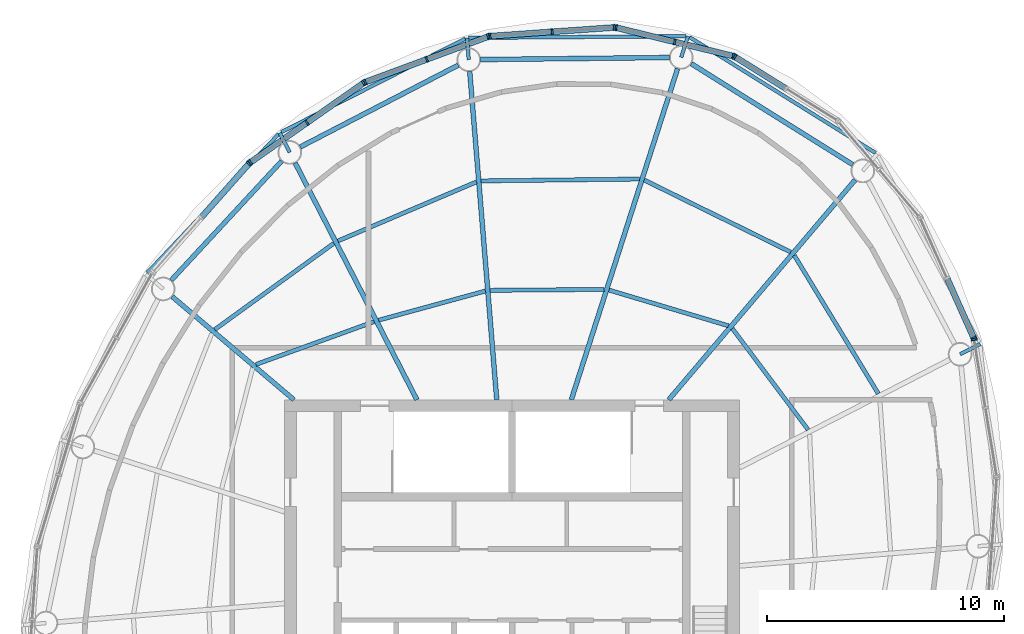
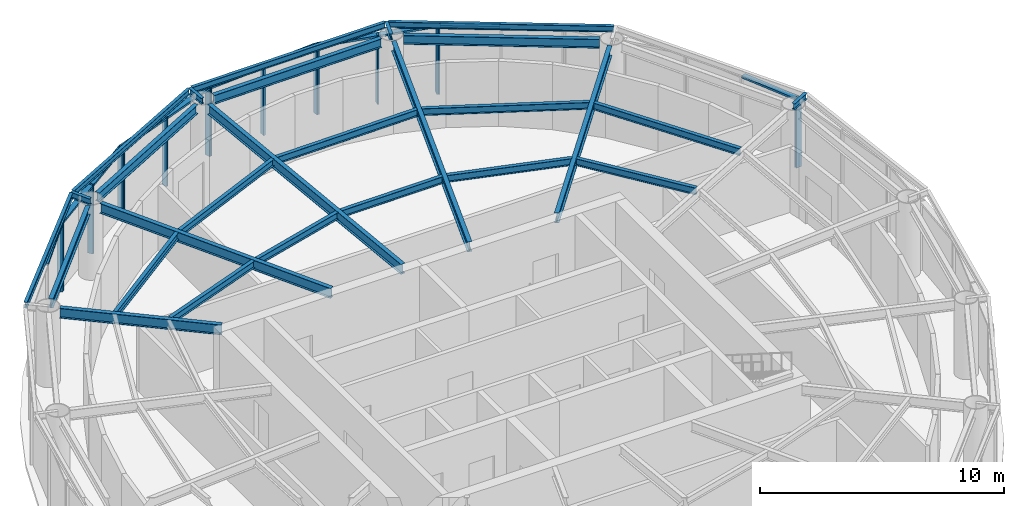
# One storey, part 5 of 11: 27 beams, 27 members, 8 elements without a shape of their own.
"""IFC4 building model written with IfcOpenShell, lengths in metres."""

from ifc_helpers import new_model, si_unit, direction, frame, origin, origin_2d, place, context, subcontext, project, spatial, rectangle, i_section, extrude, material, material_profile, profile_set, type_object, element, aggregate, save


model = new_model("IFC4")

# Units and contexts
model_context = context("Model", 3, precision=1e-05, world=origin(), true_north=direction((0.0, 1.0)))
body_context = subcontext(model_context, "Body", "Model", "MODEL_VIEW")
ifc_project = project(units=[si_unit("LENGTHUNIT", "METRE"), si_unit("AREAUNIT", "SQUARE_METRE"), si_unit("VOLUMEUNIT", "CUBIC_METRE"), si_unit("PLANEANGLEUNIT", "RADIAN"), si_unit("MASSUNIT", "GRAM", prefix="KILO")], contexts=[model_context])

# Site, building, storey
site_placement = place(None, origin())
site = spatial("IfcSite", under=ifc_project, at=site_placement, CompositionType="ELEMENT")
building_placement = place(site_placement, origin())
building = spatial("IfcBuilding", under=site, at=building_placement, Name="Vermilion Reach Broadcast Tower", CompositionType="ELEMENT")
storey_placement = place(building_placement, frame((0.0, 0.0, 325.5)))
storey = spatial("IfcBuildingStorey", under=building, at=storey_placement, Name="L81 CROWN", CompositionType="ELEMENT", Elevation=325.5)

# Curtain wall, members
ifc_material_1 = material(Name="Low-e laminated clear glass in aluminium frame", Category="aluminium")
curtain_wall_type = type_object("IfcCurtainWallType", Name="Crown glazing curtain wall", PredefinedType="NOTDEFINED", material=ifc_material_1)
placement = place(storey_placement, origin())
curtain_wall_1 = element("IfcCurtainWall", 1, at=placement, inside=storey, type_object=curtain_wall_type, Name="Crown glazing L81 CROWN 01", PredefinedType="NOTDEFINED")
ifc_material_2 = material(Name="Anodised aluminium", Category="aluminium")
ifc_material_profile_1 = material_profile(ifc_material_2, rectangle(XDim=0.25, YDim=0.080078125, at=origin_2d()), Name="Crown glazing mullion 80 x 250")
ifc_profile_set_1 = profile_set([ifc_material_profile_1], Name="Anodised aluminium")
member_type_1 = type_object("IfcMemberType", Name="Crown glazing mullion 80 x 250", PredefinedType="MULLION", material=ifc_profile_set_1)
member_1_placement = place(storey_placement, frame((3.331298828125, 22.300048828125, 0.0), z_axis=(0.0, 0.0, 1.0), x_axis=(-0.236354420386, -0.971666912045, 0.0)))
member_1 = element("IfcMember", 2, at=member_1_placement, type_object=member_type_1, Name="Crown glazing mullion L81 CROWN 01.1", PredefinedType="MULLION", context=body_context, shape_type="SweptSolid", body=[
    extrude(rectangle(XDim=0.25, YDim=0.080078125, at=origin_2d()), origin(), (0.0, 0.0, 1.0), 3.449951171875),
])
member_2_placement = place(storey_placement, frame((0.861328125, 22.90087890625, 0.0), z_axis=(0.0, 0.0, 1.0), x_axis=(-0.236354420386, -0.971666912045, 0.0)))
member_2 = element("IfcMember", 3, at=member_2_placement, type_object=member_type_1, Name="Crown glazing mullion L81 CROWN 01.2", PredefinedType="MULLION", context=body_context, shape_type="SweptSolid", body=[
    extrude(rectangle(XDim=0.25, YDim=0.080078125, at=origin_2d()), origin(), (0.0, 0.0, 1.0), 3.449951171875),
])
member_3_placement = place(storey_placement, frame((-1.60888671875, 23.501708984375, 0.0), z_axis=(0.0, 0.0, 1.0), x_axis=(-0.236354420386, -0.971666912045, 0.0)))
member_3 = element("IfcMember", 4, at=member_3_placement, type_object=member_type_1, Name="Crown glazing mullion L81 CROWN 01.3", PredefinedType="MULLION", context=body_context, shape_type="SweptSolid", body=[
    extrude(rectangle(XDim=0.25, YDim=0.080078125, at=origin_2d()), origin(), (0.0, 0.0, 1.0), 3.449951171875),
])

curtain_wall_2 = element("IfcCurtainWall", 5, at=placement, inside=storey, type_object=curtain_wall_type, Name="Crown glazing L81 CROWN 02", PredefinedType="NOTDEFINED")
member_4_placement = place(storey_placement, frame((-1.6875, 23.50830078125, 0.0), z_axis=(0.0, 0.0, 1.0), x_axis=(0.070082236977, -0.997541217224, 0.0)))
member_4 = element("IfcMember", 6, at=member_4_placement, type_object=member_type_1, Name="Crown glazing mullion L81 CROWN 02.1", PredefinedType="MULLION", context=body_context, shape_type="SweptSolid", body=[
    extrude(rectangle(XDim=0.25, YDim=0.080078125, at=origin_2d()), origin(), (0.0, 0.0, 1.0), 3.449951171875),
])
member_5_placement = place(storey_placement, frame((-4.30712890625, 23.324462890625, 0.0), z_axis=(0.0, 0.0, 1.0), x_axis=(0.070082236977, -0.997541217224, 0.0)))
member_5 = element("IfcMember", 7, at=member_5_placement, type_object=member_type_1, Name="Crown glazing mullion L81 CROWN 02.2", PredefinedType="MULLION", context=body_context, shape_type="SweptSolid", body=[
    extrude(rectangle(XDim=0.25, YDim=0.080078125, at=origin_2d()), origin(), (0.0, 0.0, 1.0), 3.449951171875),
])
member_6_placement = place(storey_placement, frame((-6.9267578125, 23.140380859375, 0.0), z_axis=(0.0, 0.0, 1.0), x_axis=(0.070082236977, -0.997541217224, 0.0)))
member_6 = element("IfcMember", 8, at=member_6_placement, type_object=member_type_1, Name="Crown glazing mullion L81 CROWN 02.3", PredefinedType="MULLION", context=body_context, shape_type="SweptSolid", body=[
    extrude(rectangle(XDim=0.25, YDim=0.080078125, at=origin_2d()), origin(), (0.0, 0.0, 1.0), 3.449951171875),
])

curtain_wall_3 = element("IfcCurtainWall", 9, at=placement, inside=storey, type_object=curtain_wall_type, Name="Crown glazing L81 CROWN 03", PredefinedType="NOTDEFINED")
member_7_placement = place(storey_placement, frame((-7.004150390625, 23.12353515625, 0.0), z_axis=(0.0, 0.0, 1.0), x_axis=(0.347291008771, -0.93775740745, 0.0)))
member_7 = element("IfcMember", 10, at=member_7_placement, type_object=member_type_1, Name="Crown glazing mullion L81 CROWN 03.1", PredefinedType="MULLION", context=body_context, shape_type="SweptSolid", body=[
    extrude(rectangle(XDim=0.25, YDim=0.080078125, at=origin_2d()), origin(), (0.0, 0.0, 1.0), 3.449951171875),
])
member_8_placement = place(storey_placement, frame((-9.597412109375, 22.163330078125, 0.0), z_axis=(0.0, 0.0, 1.0), x_axis=(0.347291008771, -0.93775740745, 0.0)))
member_8 = element("IfcMember", 11, at=member_8_placement, type_object=member_type_1, Name="Crown glazing mullion L81 CROWN 03.2", PredefinedType="MULLION", context=body_context, shape_type="SweptSolid", body=[
    extrude(rectangle(XDim=0.25, YDim=0.080078125, at=origin_2d()), origin(), (0.0, 0.0, 1.0), 3.449951171875),
])
member_9_placement = place(storey_placement, frame((-12.190673828125, 21.202880859375, 0.0), z_axis=(0.0, 0.0, 1.0), x_axis=(0.347291008771, -0.93775740745, 0.0)))
member_9 = element("IfcMember", 12, at=member_9_placement, type_object=member_type_1, Name="Crown glazing mullion L81 CROWN 03.3", PredefinedType="MULLION", context=body_context, shape_type="SweptSolid", body=[
    extrude(rectangle(XDim=0.25, YDim=0.080078125, at=origin_2d()), origin(), (0.0, 0.0, 1.0), 3.449951171875),
])

curtain_wall_4 = element("IfcCurtainWall", 13, at=placement, inside=storey, type_object=curtain_wall_type, Name="Crown glazing L81 CROWN 04", PredefinedType="NOTDEFINED")
member_10_placement = place(storey_placement, frame((-12.2607421875, 21.166015625, 0.0), z_axis=(0.0, 0.0, 1.0), x_axis=(0.574163969023, -0.818740335317, 0.0)))
member_10 = element("IfcMember", 14, at=member_10_placement, type_object=member_type_1, Name="Crown glazing mullion L81 CROWN 04.1", PredefinedType="MULLION", context=body_context, shape_type="SweptSolid", body=[
    extrude(rectangle(XDim=0.25, YDim=0.080078125, at=origin_2d()), origin(), (0.0, 0.0, 1.0), 3.449951171875),
])
member_11_placement = place(storey_placement, frame((-14.64990234375, 19.49072265625, 0.0), z_axis=(0.0, 0.0, 1.0), x_axis=(0.574163969023, -0.818740335317, 0.0)))
member_11 = element("IfcMember", 15, at=member_11_placement, type_object=member_type_1, Name="Crown glazing mullion L81 CROWN 04.2", PredefinedType="MULLION", context=body_context, shape_type="SweptSolid", body=[
    extrude(rectangle(XDim=0.25, YDim=0.080078125, at=origin_2d()), origin(), (0.0, 0.0, 1.0), 3.449951171875),
])
member_12_placement = place(storey_placement, frame((-17.038818359375, 17.8154296875, 0.0), z_axis=(0.0, 0.0, 1.0), x_axis=(0.574163969023, -0.818740335317, 0.0)))
member_12 = element("IfcMember", 16, at=member_12_placement, type_object=member_type_1, Name="Crown glazing mullion L81 CROWN 04.3", PredefinedType="MULLION", context=body_context, shape_type="SweptSolid", body=[
    extrude(rectangle(XDim=0.25, YDim=0.080078125, at=origin_2d()), origin(), (0.0, 0.0, 1.0), 3.449951171875),
])

# Curtain wall, member
curtain_wall_5 = element("IfcCurtainWall", 17, at=placement, inside=storey, type_object=curtain_wall_type, Name="Crown glazing L81 CROWN 05", PredefinedType="NOTDEFINED")
member_13_placement = place(storey_placement, frame((-17.09814453125, 17.762451171875, 0.0), z_axis=(0.0, 0.0, 1.0), x_axis=(0.748407682668, -0.663238976934, 0.0)))
member_13 = element("IfcMember", 18, at=member_13_placement, type_object=member_type_1, Name="Crown glazing mullion L81 CROWN 05.1", PredefinedType="MULLION", context=body_context, shape_type="SweptSolid", body=[
    extrude(rectangle(XDim=0.25, YDim=0.080078125, at=origin_2d()), origin(), (0.0, 0.0, 1.0), 3.449951171875),
])

curtain_wall_6 = element("IfcCurtainWall", 19, at=placement, inside=storey, type_object=curtain_wall_type, Name="Crown glazing L81 CROWN 21", PredefinedType="NOTDEFINED")
member_14_placement = place(storey_placement, frame((13.5029296875, 10.3359375, 0.0), z_axis=(0.0, 0.0, 1.0), x_axis=(-0.986689101121, -0.162618011697, 0.0)))
member_14 = element("IfcMember", 20, at=member_14_placement, type_object=member_type_1, Name="Crown glazing mullion L81 CROWN 21.3", PredefinedType="MULLION", context=body_context, shape_type="SweptSolid", body=[
    extrude(rectangle(XDim=0.25, YDim=0.080078125, at=origin_2d()), origin(), (0.0, 0.0, 1.0), 3.449951171875),
])
aggregate(curtain_wall_6, [member_14])

curtain_wall_7 = element("IfcCurtainWall", 21, at=placement, inside=storey, type_object=curtain_wall_type, Name="Crown glazing L81 CROWN 22", PredefinedType="NOTDEFINED")
member_15_placement = place(storey_placement, frame((13.480224609375, 10.411865234375, 0.0), z_axis=(0.0, 0.0, 1.0), x_axis=(-0.912988806241, -0.407984607158, 0.0)))
member_15 = element("IfcMember", 22, at=member_15_placement, type_object=member_type_1, Name="Crown glazing mullion L81 CROWN 22.1", PredefinedType="MULLION", context=body_context, shape_type="SweptSolid", body=[
    extrude(rectangle(XDim=0.25, YDim=0.080078125, at=origin_2d()), origin(), (0.0, 0.0, 1.0), 3.449951171875),
])

curtain_wall_8 = element("IfcCurtainWall", 23, at=placement, inside=storey, type_object=curtain_wall_type, Name="Crown glazing L81 CROWN 24", PredefinedType="NOTDEFINED")
member_16_placement = place(storey_placement, frame((3.404052734375, 22.26953125, 0.0), z_axis=(0.0, 0.0, 1.0), x_axis=(-0.52886102859, -0.848708437827, 0.0)))
member_16 = element("IfcMember", 24, at=member_16_placement, type_object=member_type_1, Name="Crown glazing mullion L81 CROWN 24.3", PredefinedType="MULLION", context=body_context, shape_type="SweptSolid", body=[
    extrude(rectangle(XDim=0.25, YDim=0.080078125, at=origin_2d()), origin(), (0.0, 0.0, 1.0), 3.449951171875),
])

# Member
ifc_material_3 = material(Name="Anodised aluminium", Category="aluminium")
ifc_material_profile_2 = material_profile(ifc_material_3, rectangle(XDim=0.25, YDim=0.10009765625, at=origin_2d()), Name="Crown glazing transom 250 x 100")
ifc_profile_set_2 = profile_set([ifc_material_profile_2], Name="Anodised aluminium")
member_type_2 = type_object("IfcMemberType", Name="Crown glazing transom 250 x 100", PredefinedType="USERDEFINED", material=ifc_profile_set_2)
member_17_placement = place(storey_placement, frame((3.29248046875, 22.3095703125, 3.39990234375), z_axis=(-0.971679911502, 0.236300972457, 0.0), x_axis=(-0.236300972457, -0.971679911502, 0.0)))
member_17 = element("IfcMember", 25, at=member_17_placement, type_object=member_type_2, Name="Crown glazing transom L81 CROWN 01.1.2", ObjectType="TRANSOM", PredefinedType="USERDEFINED", context=body_context, shape_type="SweptSolid", body=[
    extrude(rectangle(XDim=0.25, YDim=0.10009765625, at=origin_2d()), origin(), (0.0, 0.0, 1.0), 2.462158203125),
])

member_18_placement = place(storey_placement, frame((0.822265625, 22.910400390625, 3.39990234375), z_axis=(-0.971674373727, 0.236323742865, 0.0), x_axis=(-0.236323742865, -0.971674373727, 0.0)))
member_18 = element("IfcMember", 26, at=member_18_placement, type_object=member_type_2, Name="Crown glazing transom L81 CROWN 01.2.2", ObjectType="TRANSOM", PredefinedType="USERDEFINED", context=body_context, shape_type="SweptSolid", body=[
    extrude(rectangle(XDim=0.25, YDim=0.10009765625, at=origin_2d()), origin(), (0.0, 0.0, 1.0), 2.4619140625),
])

aggregate(curtain_wall_1, [member_1, member_2, member_3, member_17, member_18])

member_19_placement = place(storey_placement, frame((-1.7275390625, 23.505615234375, 3.39990234375), z_axis=(-0.997539824471, -0.07010205842, 0.0), x_axis=(0.07010205842, -0.997539824471, 0.0)))
member_19 = element("IfcMember", 27, at=member_19_placement, type_object=member_type_2, Name="Crown glazing transom L81 CROWN 02.1.2", ObjectType="TRANSOM", PredefinedType="USERDEFINED", context=body_context, shape_type="SweptSolid", body=[
    extrude(rectangle(XDim=0.25, YDim=0.10009765625, at=origin_2d()), origin(), (0.0, 0.0, 1.0), 2.5458984375),
])

member_20_placement = place(storey_placement, frame((-4.346923828125, 23.321533203125, 3.39990234375), z_axis=(-0.997540295679, -0.070095352893, 0.0), x_axis=(0.070095352893, -0.997540295679, 0.0)))
member_20 = element("IfcMember", 28, at=member_20_placement, type_object=member_type_2, Name="Crown glazing transom L81 CROWN 02.2.2", ObjectType="TRANSOM", PredefinedType="USERDEFINED", context=body_context, shape_type="SweptSolid", body=[
    extrude(rectangle(XDim=0.25, YDim=0.10009765625, at=origin_2d()), origin(), (0.0, 0.0, 1.0), 2.546142578125),
])

aggregate(curtain_wall_2, [member_4, member_5, member_6, member_19, member_20])

member_21_placement = place(storey_placement, frame((-7.04150390625, 23.109619140625, 3.39990234375), z_axis=(-0.937789331633, -0.347204794717, 0.0), x_axis=(0.347204794717, -0.937789331633, 0.0)))
member_21 = element("IfcMember", 29, at=member_21_placement, type_object=member_type_2, Name="Crown glazing transom L81 CROWN 03.1.2", ObjectType="TRANSOM", PredefinedType="USERDEFINED", context=body_context, shape_type="SweptSolid", body=[
    extrude(rectangle(XDim=0.25, YDim=0.10009765625, at=origin_2d()), origin(), (0.0, 0.0, 1.0), 2.685302734375),
])

member_22_placement = place(storey_placement, frame((-9.634765625, 22.1494140625, 3.39990234375), z_axis=(-0.93775972675, -0.347284746116, 0.0), x_axis=(0.347284746116, -0.93775972675, 0.0)))
member_22 = element("IfcMember", 30, at=member_22_placement, type_object=member_type_2, Name="Crown glazing transom L81 CROWN 03.2.2", ObjectType="TRANSOM", PredefinedType="USERDEFINED", context=body_context, shape_type="SweptSolid", body=[
    extrude(rectangle(XDim=0.25, YDim=0.10009765625, at=origin_2d()), origin(), (0.0, 0.0, 1.0), 2.685546875),
])

aggregate(curtain_wall_3, [member_7, member_8, member_9, member_21, member_22])

member_23_placement = place(storey_placement, frame((-12.293701171875, 21.14306640625, 3.39990234375), z_axis=(-0.818742582552, -0.574160764522, 0.0), x_axis=(0.574160764522, -0.818742582552, 0.0)))
member_23 = element("IfcMember", 31, at=member_23_placement, type_object=member_type_2, Name="Crown glazing transom L81 CROWN 04.1.2", ObjectType="TRANSOM", PredefinedType="USERDEFINED", context=body_context, shape_type="SweptSolid", body=[
    extrude(rectangle(XDim=0.25, YDim=0.10009765625, at=origin_2d()), origin(), (0.0, 0.0, 1.0), 2.837890625),
])

member_24_placement = place(storey_placement, frame((-14.6826171875, 19.4677734375, 3.39990234375), z_axis=(-0.818742582552, -0.574160764522, 0.0), x_axis=(0.574160764522, -0.818742582552, 0.0)))
member_24 = element("IfcMember", 32, at=member_24_placement, type_object=member_type_2, Name="Crown glazing transom L81 CROWN 04.2.2", ObjectType="TRANSOM", PredefinedType="USERDEFINED", context=body_context, shape_type="SweptSolid", body=[
    extrude(rectangle(XDim=0.25, YDim=0.10009765625, at=origin_2d()), origin(), (0.0, 0.0, 1.0), 2.837890625),
])

aggregate(curtain_wall_4, [member_10, member_11, member_12, member_23, member_24])

member_25_placement = place(storey_placement, frame((-17.12451171875, 17.732421875, 3.39990234375), z_axis=(-0.663279205809, -0.748372029903, 0.0), x_axis=(0.748372029903, -0.663279205809, 0.0)))
member_25 = element("IfcMember", 33, at=member_25_placement, type_object=member_type_2, Name="Crown glazing transom L81 CROWN 05.1.2", ObjectType="TRANSOM", PredefinedType="USERDEFINED", context=body_context, shape_type="SweptSolid", body=[
    extrude(rectangle(XDim=0.25, YDim=0.10009765625, at=origin_2d()), origin(), (0.0, 0.0, 1.0), 2.9638671875),
])

aggregate(curtain_wall_5, [member_13, member_25])

member_26_placement = place(storey_placement, frame((13.4638671875, 10.4482421875, 3.39990234375), z_axis=(-0.407993268167, 0.912984935873, 0.0), x_axis=(-0.912984935873, -0.407993268167, 0.0)))
member_26 = element("IfcMember", 34, at=member_26_placement, type_object=member_type_2, Name="Crown glazing transom L81 CROWN 22.1.2", ObjectType="TRANSOM", PredefinedType="USERDEFINED", context=body_context, shape_type="SweptSolid", body=[
    extrude(rectangle(XDim=0.25, YDim=0.10009765625, at=origin_2d()), origin(), (0.0, 0.0, 1.0), 2.685546875),
])

aggregate(curtain_wall_7, [member_15, member_26])

member_27_placement = place(storey_placement, frame((5.527587890625, 20.9462890625, 3.39990234375), z_axis=(-0.848727287614, 0.528830777526, 0.0), x_axis=(-0.528830777526, -0.848727287614, 0.0)))
member_27 = element("IfcMember", 35, at=member_27_placement, type_object=member_type_2, Name="Crown glazing transom L81 CROWN 24.2.2", ObjectType="TRANSOM", PredefinedType="USERDEFINED", context=body_context, shape_type="SweptSolid", body=[
    extrude(rectangle(XDim=0.25, YDim=0.10009765625, at=origin_2d()), origin(), (0.0, 0.0, 1.0), 2.462158203125),
])

aggregate(curtain_wall_8, [member_16, member_27])

# Beams
ifc_material_4 = material(Name="Steel S355J2", Category="steel")
ifc_material_profile_3 = material_profile(ifc_material_4, i_section(OverallWidth=0.14990234375, OverallDepth=0.300048828125, WebThickness=0.006591796875, FlangeThickness=0.009033203125, at=origin_2d()), Name="S355J2 HN 300x150x6.5x9")
ifc_profile_set_3 = profile_set([ifc_material_profile_3], Name="Steel S355J2")
beam_type_1 = type_object("IfcBeamType", Name="EB5 HN 300x150x6.5x9", PredefinedType="BEAM", material=ifc_profile_set_3)
beam_1_placement = place(storey_placement, frame((1.346435546875, 23.140380859375, 3.60009765625), z_axis=(-0.999971629622, -0.007532592595, 0.0), x_axis=(0.007532592595, -0.999971629622, 0.0)))
element("IfcBeam", 36, at=beam_1_placement, inside=storey, type_object=beam_type_1, Name="Edge beam EB5-01", PredefinedType="BEAM", context=body_context, shape_type="SweptSolid", body=[
    extrude(i_section(OverallWidth=0.14990234375, OverallDepth=0.300048828125, WebThickness=0.006591796875, FlangeThickness=0.009033203125, at=origin_2d()), origin(), (0.0, 0.0, 1.0), 9.17236328125),
])
beam_2_placement = place(storey_placement, frame((-7.97314453125, 23.033935546875, 3.60009765625), z_axis=(-0.891604217889, -0.452815545936, 0.0), x_axis=(0.452815545936, -0.891604217889, 0.0)))
element("IfcBeam", 37, at=beam_2_placement, inside=storey, type_object=beam_type_1, Name="Edge beam EB5-02", PredefinedType="BEAM", context=body_context, shape_type="SweptSolid", body=[
    extrude(i_section(OverallWidth=0.14990234375, OverallDepth=0.300048828125, WebThickness=0.006591796875, FlangeThickness=0.009033203125, at=origin_2d()), origin(), (0.0, 0.0, 1.0), 8.70263671875),
])
beam_3_placement = place(storey_placement, frame((-15.85400390625, 19.001708984375, 3.60009765625), z_axis=(-0.687701793008, -0.725993280888, 0.0), x_axis=(0.725993280888, -0.687701793008, 0.0)))
element("IfcBeam", 38, at=beam_3_placement, inside=storey, type_object=beam_type_1, Name="Edge beam EB5-03", PredefinedType="BEAM", context=body_context, shape_type="SweptSolid", body=[
    extrude(i_section(OverallWidth=0.14990234375, OverallDepth=0.300048828125, WebThickness=0.006591796875, FlangeThickness=0.009033203125, at=origin_2d()), origin(), (0.0, 0.0, 1.0), 8.05908203125),
])
beam_4_placement = place(storey_placement, frame((9.341552734375, 18.212646484375, 3.60009765625), z_axis=(-0.848928421209, 0.528507838791, 0.0), x_axis=(-0.528507838791, -0.848928421209, 0.0)))
element("IfcBeam", 39, at=beam_4_placement, inside=storey, type_object=beam_type_1, Name="Edge beam EB5-16", PredefinedType="BEAM", context=body_context, shape_type="SweptSolid", body=[
    extrude(i_section(OverallWidth=0.14990234375, OverallDepth=0.300048828125, WebThickness=0.006591796875, FlangeThickness=0.009033203125, at=origin_2d()), origin(), (0.0, 0.0, 1.0), 9.24755859375),
])
ifc_material_5 = material(Name="Steel S355J2", Category="steel")
ifc_material_profile_4 = material_profile(ifc_material_5, i_section(OverallWidth=0.199951171875, OverallDepth=0.5, WebThickness=0.010009765625, FlangeThickness=0.01611328125, at=origin_2d()), Name="S355J2 HN 500x200x10x16")
ifc_profile_set_4 = profile_set([ifc_material_profile_4], Name="Steel S355J2")
beam_type_2 = type_object("IfcBeamType", Name="G5 HN 500x200x10x16", PredefinedType="BEAM", material=ifc_profile_set_4)
beam_5_placement = place(storey_placement, frame((-3.497314453125, 7.800048828125, 3.5), z_axis=(0.305545401295, 0.952177508528, 0.0), x_axis=(-0.952177508528, 0.305545401295, 0.0)))
element("IfcBeam", 40, at=beam_5_placement, inside=storey, type_object=beam_type_2, Name="Girder G5-01", PredefinedType="BEAM", context=body_context, shape_type="SweptSolid", body=[
    extrude(i_section(OverallWidth=0.199951171875, OverallDepth=0.5, WebThickness=0.010009765625, FlangeThickness=0.01611328125, at=origin_2d()), origin(), (0.0, 0.0, 1.0), 14.672607421875),
])
beam_6_placement = place(storey_placement, frame((-6.642578125, 7.800048828125, 3.5), z_axis=(-0.082123744247, 0.996622140347, 0.0), x_axis=(-0.996622140347, -0.082123744247, 0.0)))
element("IfcBeam", 41, at=beam_6_placement, inside=storey, type_object=beam_type_2, Name="Girder G5-02", PredefinedType="BEAM", context=body_context, shape_type="SweptSolid", body=[
    extrude(i_section(OverallWidth=0.199951171875, OverallDepth=0.5, WebThickness=0.010009765625, FlangeThickness=0.01611328125, at=origin_2d()), origin(), (0.0, 0.0, 1.0), 13.89794921875),
])
beam_7_placement = place(storey_placement, frame((-10.010498046875, 7.800048828125, 3.5), z_axis=(-0.457258168112, 0.889334002327, 0.0), x_axis=(-0.889334002327, -0.457258168112, 0.0)))
element("IfcBeam", 42, at=beam_7_placement, inside=storey, type_object=beam_type_2, Name="Girder G5-03", PredefinedType="BEAM", context=body_context, shape_type="SweptSolid", body=[
    extrude(i_section(OverallWidth=0.199951171875, OverallDepth=0.5, WebThickness=0.010009765625, FlangeThickness=0.01611328125, at=origin_2d()), origin(), (0.0, 0.0, 1.0), 11.236328125),
])
beam_8_placement = place(storey_placement, frame((-15.20068359375, 7.800048828125, 3.5), z_axis=(-0.762793125612, 0.646642596431, 0.0), x_axis=(-0.646642596431, -0.762793125612, 0.0)))
element("IfcBeam", 43, at=beam_8_placement, inside=storey, type_object=beam_type_2, Name="Girder G5-04", PredefinedType="BEAM", context=body_context, shape_type="SweptSolid", body=[
    extrude(i_section(OverallWidth=0.199951171875, OverallDepth=0.5, WebThickness=0.010009765625, FlangeThickness=0.01611328125, at=origin_2d()), origin(), (0.0, 0.0, 1.0), 6.732421875),
])
beam_9_placement = place(storey_placement, frame((0.612548828125, 7.800048828125, 3.5), z_axis=(0.646658335602, 0.762779782766, 0.0), x_axis=(-0.762779782766, 0.646658335602, 0.0)))
element("IfcBeam", 44, at=beam_9_placement, inside=storey, type_object=beam_type_2, Name="Girder G5-16", PredefinedType="BEAM", context=body_context, shape_type="SweptSolid", body=[
    extrude(i_section(OverallWidth=0.199951171875, OverallDepth=0.5, WebThickness=0.010009765625, FlangeThickness=0.01611328125, at=origin_2d()), origin(), (0.0, 0.0, 1.0), 12.16064453125),
])
ifc_material_6 = material(Name="Steel S355J2", Category="steel")
ifc_material_profile_5 = material_profile(ifc_material_6, i_section(OverallWidth=0.14990234375, OverallDepth=0.300048828125, WebThickness=0.006591796875, FlangeThickness=0.009033203125, at=origin_2d()), Name="S355J2 HN 300x150x6.5x9")
ifc_profile_set_5 = profile_set([ifc_material_profile_5], Name="Steel S355J2")
beam_type_3 = type_object("IfcBeamType", Name="GS5 HN 300x150x6.5x9", PredefinedType="BEAM", material=ifc_profile_set_5)
beam_10_placement = place(storey_placement, frame((1.138427734375, 22.2470703125, 3.60009765625), z_axis=(0.305596628184, 0.95216106875, 0.0), x_axis=(-0.95216106875, 0.305596628184, 0.0)))
element("IfcBeam", 45, at=beam_10_placement, inside=storey, type_object=beam_type_3, Name="Cantilever stub GS5-01", PredefinedType="BEAM", context=body_context, shape_type="SweptSolid", body=[
    extrude(i_section(OverallWidth=0.14990234375, OverallDepth=0.300048828125, WebThickness=0.006591796875, FlangeThickness=0.009033203125, at=origin_2d()), origin(), (0.0, 0.0, 1.0), 0.938720703125),
])
beam_11_placement = place(storey_placement, frame((-7.824951171875, 22.1494140625, 3.60009765625), z_axis=(-0.082149174093, 0.996620044548, 0.0), x_axis=(-0.996620044548, -0.082149174093, 0.0)))
element("IfcBeam", 46, at=beam_11_placement, inside=storey, type_object=beam_type_3, Name="Cantilever stub GS5-02", PredefinedType="BEAM", context=body_context, shape_type="SweptSolid", body=[
    extrude(i_section(OverallWidth=0.14990234375, OverallDepth=0.300048828125, WebThickness=0.006591796875, FlangeThickness=0.009033203125, at=origin_2d()), origin(), (0.0, 0.0, 1.0), 0.92431640625),
])
beam_12_placement = place(storey_placement, frame((-15.376953125, 18.23779296875, 3.60009765625), z_axis=(-0.457228572872, 0.889349218333, 0.0), x_axis=(-0.889349218333, -0.457228572872, 0.0)))
element("IfcBeam", 47, at=beam_12_placement, inside=storey, type_object=beam_type_3, Name="Cantilever stub GS5-03", PredefinedType="BEAM", context=body_context, shape_type="SweptSolid", body=[
    extrude(i_section(OverallWidth=0.14990234375, OverallDepth=0.300048828125, WebThickness=0.006591796875, FlangeThickness=0.009033203125, at=origin_2d()), origin(), (0.0, 0.0, 1.0), 0.923828125),
])
beam_13_placement = place(storey_placement, frame((12.905517578125, 9.72021484375, 3.60009765625), z_axis=(0.88934146644, 0.457243650662, 0.0), x_axis=(-0.457243650662, 0.88934146644, 0.0)))
element("IfcBeam", 48, at=beam_13_placement, inside=storey, type_object=beam_type_3, Name="Cantilever stub GS5-15", PredefinedType="BEAM", context=body_context, shape_type="SweptSolid", body=[
    extrude(i_section(OverallWidth=0.14990234375, OverallDepth=0.300048828125, WebThickness=0.006591796875, FlangeThickness=0.009033203125, at=origin_2d()), origin(), (0.0, 0.0, 1.0), 0.951416015625),
])
ifc_material_7 = material(Name="Steel S355J2", Category="steel")
ifc_material_profile_6 = material_profile(ifc_material_7, i_section(OverallWidth=0.199951171875, OverallDepth=0.449951171875, WebThickness=0.009033203125, FlangeThickness=0.013916015625, at=origin_2d()), Name="S355J2 HN 450x200x9x14")
ifc_profile_set_6 = profile_set([ifc_material_profile_6], Name="Steel S355J2")
beam_type_4 = type_object("IfcBeamType", Name="RB5 HN 450x200x9x14", PredefinedType="BEAM", material=ifc_profile_set_6)
beam_14_placement = place(storey_placement, frame((0.638427734375, 22.24169921875, 3.52490234375), z_axis=(-0.999940445231, -0.010913569149, 0.0), x_axis=(0.010913569149, -0.999940445231, 0.0)))
element("IfcBeam", 49, at=beam_14_placement, inside=storey, type_object=beam_type_4, Name="Ring beam RB5-01", PredefinedType="BEAM", context=body_context, shape_type="SweptSolid", body=[
    extrude(i_section(OverallWidth=0.199951171875, OverallDepth=0.449951171875, WebThickness=0.009033203125, FlangeThickness=0.013916015625, at=origin_2d()), origin(), (0.0, 0.0, 1.0), 7.9638671875),
])
beam_15_placement = place(storey_placement, frame((-8.268798828125, 21.91943359375, 3.52490234375), z_axis=(-0.887960248279, -0.459920207729, 0.0), x_axis=(0.459920207729, -0.887960248279, 0.0)))
element("IfcBeam", 50, at=beam_15_placement, inside=storey, type_object=beam_type_4, Name="Ring beam RB5-02", PredefinedType="BEAM", context=body_context, shape_type="SweptSolid", body=[
    extrude(i_section(OverallWidth=0.199951171875, OverallDepth=0.449951171875, WebThickness=0.009033203125, FlangeThickness=0.013916015625, at=origin_2d()), origin(), (0.0, 0.0, 1.0), 7.5048828125),
])
beam_16_placement = place(storey_placement, frame((-15.716796875, 17.87109375, 3.52490234375), z_axis=(-0.679837550075, -0.733362738014, 0.0), x_axis=(0.733362738014, -0.679837550075, 0.0)))
element("IfcBeam", 51, at=beam_16_placement, inside=storey, type_object=beam_type_4, Name="Ring beam RB5-03", PredefinedType="BEAM", context=body_context, shape_type="SweptSolid", body=[
    extrude(i_section(OverallWidth=0.199951171875, OverallDepth=0.449951171875, WebThickness=0.009033203125, FlangeThickness=0.013916015625, at=origin_2d()), origin(), (0.0, 0.0, 1.0), 6.85546875),
])
beam_17_placement = place(storey_placement, frame((8.375732421875, 17.722412109375, 3.52490234375), z_axis=(-0.847914653245, 0.530132757724, 0.0), x_axis=(-0.530132757724, -0.847914653245, 0.0)))
element("IfcBeam", 52, at=beam_17_placement, inside=storey, type_object=beam_type_4, Name="Ring beam RB5-16", PredefinedType="BEAM", context=body_context, shape_type="SweptSolid", body=[
    extrude(i_section(OverallWidth=0.199951171875, OverallDepth=0.449951171875, WebThickness=0.009033203125, FlangeThickness=0.013916015625, at=origin_2d()), origin(), (0.0, 0.0, 1.0), 8.035400390625),
])
ifc_material_8 = material(Name="Steel S355J2", Category="steel")
ifc_material_profile_7 = material_profile(ifc_material_8, i_section(OverallWidth=0.175048828125, OverallDepth=0.35009765625, WebThickness=0.007080078125, FlangeThickness=0.010986328125, at=origin_2d()), Name="S355J2 HN 350x175x7x11")
ifc_profile_set_7 = profile_set([ifc_material_profile_7], Name="Steel S355J2")
beam_type_5 = type_object("IfcBeamType", Name="SB5 HN 350x175x7x11", PredefinedType="BEAM", material=ifc_profile_set_7)
beam_18_placement = place(storey_placement, frame((-2.108154296875, 12.4560546875, 3.574951171875), z_axis=(-0.999968312294, -0.007960804474, 0.0), x_axis=(0.007960804474, -0.999968312294, 0.0)))
element("IfcBeam", 53, at=beam_18_placement, inside=storey, type_object=beam_type_5, Name="Secondary beam SB5-01-1", PredefinedType="BEAM", context=body_context, shape_type="SweptSolid", body=[
    extrude(i_section(OverallWidth=0.175048828125, OverallDepth=0.35009765625, WebThickness=0.007080078125, FlangeThickness=0.010986328125, at=origin_2d()), origin(), (0.0, 0.0, 1.0), 4.81494140625),
])
beam_19_placement = place(storey_placement, frame((-0.614013671875, 17.11279296875, 3.574951171875), z_axis=(-0.999932654133, -0.011605481368, 0.0), x_axis=(0.011605481368, -0.999932654133, 0.0)))
element("IfcBeam", 54, at=beam_19_placement, inside=storey, type_object=beam_type_5, Name="Secondary beam SB5-01-2", PredefinedType="BEAM", context=body_context, shape_type="SweptSolid", body=[
    extrude(i_section(OverallWidth=0.175048828125, OverallDepth=0.35009765625, WebThickness=0.007080078125, FlangeThickness=0.010986328125, at=origin_2d()), origin(), (0.0, 0.0, 1.0), 6.689697265625),
])
beam_20_placement = place(storey_placement, frame((-7.12109375, 12.39013671875, 3.574951171875), z_axis=(-0.964547496851, -0.263909314573, 0.0), x_axis=(0.263909314573, -0.964547496851, 0.0)))
element("IfcBeam", 55, at=beam_20_placement, inside=storey, type_object=beam_type_5, Name="Secondary beam SB5-02-1", PredefinedType="BEAM", context=body_context, shape_type="SweptSolid", body=[
    extrude(i_section(OverallWidth=0.175048828125, OverallDepth=0.35009765625, WebThickness=0.007080078125, FlangeThickness=0.010986328125, at=origin_2d()), origin(), (0.0, 0.0, 1.0), 4.6689453125),
])
beam_21_placement = place(storey_placement, frame((-7.50048828125, 16.99267578125, 3.574951171875), z_axis=(-0.919880986172, -0.392197617637, 0.0), x_axis=(0.392197617637, -0.919880986172, 0.0)))
element("IfcBeam", 56, at=beam_21_placement, inside=storey, type_object=beam_type_5, Name="Secondary beam SB5-02-2", PredefinedType="BEAM", context=body_context, shape_type="SweptSolid", body=[
    extrude(i_section(OverallWidth=0.175048828125, OverallDepth=0.35009765625, WebThickness=0.007080078125, FlangeThickness=0.010986328125, at=origin_2d()), origin(), (0.0, 0.0, 1.0), 6.351806640625),
])
beam_22_placement = place(storey_placement, frame((-11.81787109375, 11.0966796875, 3.574951171875), z_axis=(-0.940220108875, -0.340567389613, 0.0), x_axis=(0.340567389613, -0.940220108875, 0.0)))
element("IfcBeam", 57, at=beam_22_placement, inside=storey, type_object=beam_type_5, Name="Secondary beam SB5-03-1", PredefinedType="BEAM", context=body_context, shape_type="SweptSolid", body=[
    extrude(i_section(OverallWidth=0.175048828125, OverallDepth=0.35009765625, WebThickness=0.007080078125, FlangeThickness=0.010986328125, at=origin_2d()), origin(), (0.0, 0.0, 1.0), 5.303466796875),
])
beam_23_placement = place(storey_placement, frame((-13.517578125, 14.402587890625, 3.574951171875), z_axis=(-0.809771251518, -0.586745703192, 0.0), x_axis=(0.586745703192, -0.809771251518, 0.0)))
element("IfcBeam", 58, at=beam_23_placement, inside=storey, type_object=beam_type_5, Name="Secondary beam SB5-03-2", PredefinedType="BEAM", context=body_context, shape_type="SweptSolid", body=[
    extrude(i_section(OverallWidth=0.175048828125, OverallDepth=0.35009765625, WebThickness=0.007080078125, FlangeThickness=0.010986328125, at=origin_2d()), origin(), (0.0, 0.0, 1.0), 6.20361328125),
])
beam_24_placement = place(storey_placement, frame((6.492919921875, 6.53564453125, 3.574951171875), z_axis=(-0.599055582645, 0.800707442767, 0.0), x_axis=(-0.800707442767, -0.599055582645, 0.0)))
element("IfcBeam", 59, at=beam_24_placement, inside=storey, type_object=beam_type_5, Name="Secondary beam SB5-15-1", PredefinedType="BEAM", context=body_context, shape_type="SweptSolid", body=[
    extrude(i_section(OverallWidth=0.175048828125, OverallDepth=0.35009765625, WebThickness=0.007080078125, FlangeThickness=0.010986328125, at=origin_2d()), origin(), (0.0, 0.0, 1.0), 5.337890625),
])
beam_25_placement = place(storey_placement, frame((9.455078125, 8.058837890625, 3.574951171875), z_axis=(-0.519272962556, 0.854608442714, 0.0), x_axis=(-0.854608442714, -0.519272962556, 0.0)))
element("IfcBeam", 60, at=beam_25_placement, inside=storey, type_object=beam_type_5, Name="Secondary beam SB5-15-2", PredefinedType="BEAM", context=body_context, shape_type="SweptSolid", body=[
    extrude(i_section(OverallWidth=0.175048828125, OverallDepth=0.35009765625, WebThickness=0.007080078125, FlangeThickness=0.010986328125, at=origin_2d()), origin(), (0.0, 0.0, 1.0), 6.82763671875),
])
beam_26_placement = place(storey_placement, frame((3.129150390625, 10.92333984375, 3.574951171875), z_axis=(-0.958124906971, 0.286350593925, 0.0), x_axis=(-0.286350593925, -0.958124906971, 0.0)))
element("IfcBeam", 61, at=beam_26_placement, inside=storey, type_object=beam_type_5, Name="Secondary beam SB5-16-1", PredefinedType="BEAM", context=body_context, shape_type="SweptSolid", body=[
    extrude(i_section(OverallWidth=0.175048828125, OverallDepth=0.35009765625, WebThickness=0.007080078125, FlangeThickness=0.010986328125, at=origin_2d()), origin(), (0.0, 0.0, 1.0), 5.25634765625),
])
beam_27_placement = place(storey_placement, frame((5.762451171875, 14.029541015625, 3.574951171875), z_axis=(-0.897335928087, 0.441348198325, 0.0), x_axis=(-0.441348198325, -0.897335928087, 0.0)))
element("IfcBeam", 62, at=beam_27_placement, inside=storey, type_object=beam_type_5, Name="Secondary beam SB5-16-2", PredefinedType="BEAM", context=body_context, shape_type="SweptSolid", body=[
    extrude(i_section(OverallWidth=0.175048828125, OverallDepth=0.35009765625, WebThickness=0.007080078125, FlangeThickness=0.010986328125, at=origin_2d()), origin(), (0.0, 0.0, 1.0), 6.887451171875),
])

save(model, "model.ifc")
